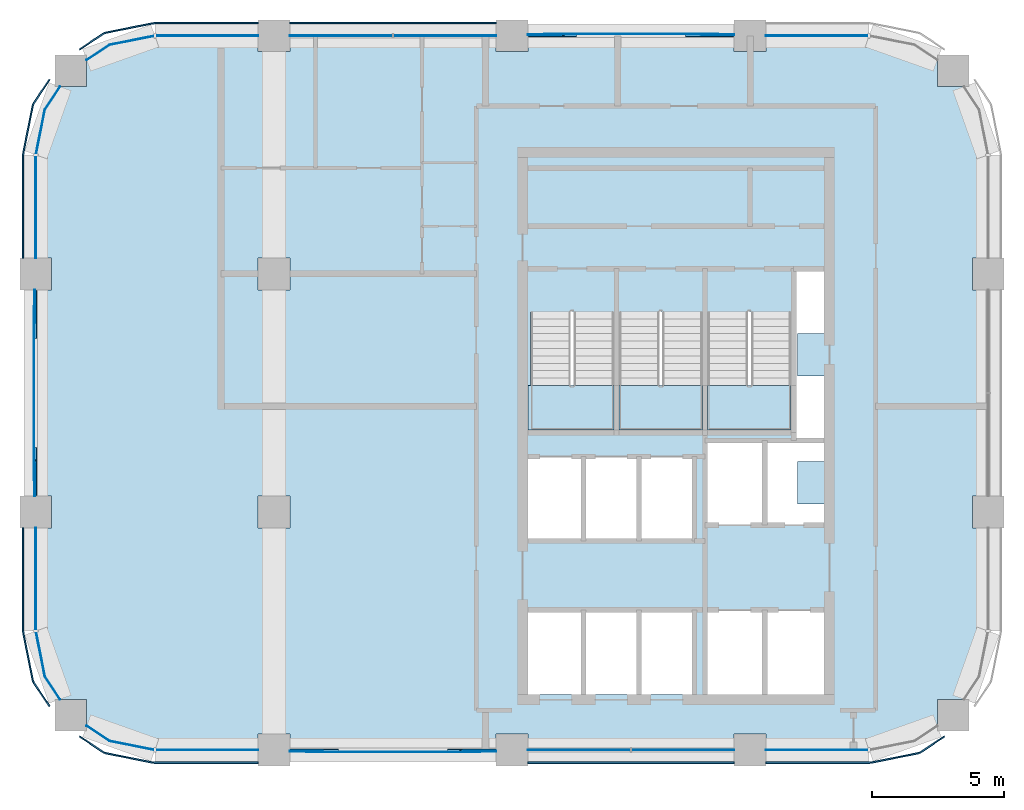
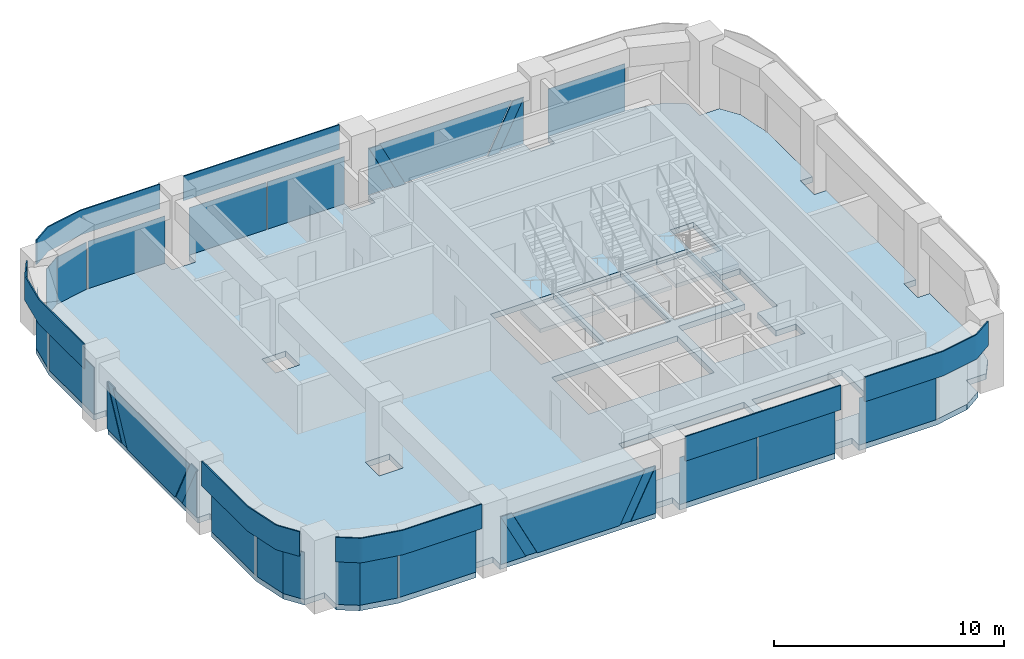
# One storey, part 6 of 10: 36 plates, 4 slabs, 14 elements without a shape of their own.
"""IFC4 building model written with IfcOpenShell, lengths in metres."""

import ifcopenshell
import ifcopenshell.guid

model = None  # the IFC model being written
_history = None  # IfcOwnerHistory: only IFC2X3 demands one
_inside = {}  # id of a spatial element -> (the spatial element, [elements in it])
_under = {}  # id of a project, library or spatial element -> (it, [spatial elements below it])
_declared = {}  # id of a project -> (the project, [libraries it declares])
_typed = {}  # id of a type object -> (the type object, [elements of that type])
_made_of = {}  # id of a material, layer set ... -> (it, [elements and type objects made of it])


def new_model(schema):
    """Start an empty IFC model of exactly this schema.

    Asked for "IFC4X3", IfcOpenShell would pick the latest addendum, in which some entities
    have other attributes; the version numbers below select the first issue.
    IFC2X3 requires an IfcOwnerHistory on every rooted entity: one is made here for all.
    """
    global model, _history
    if schema == "IFC4X3":
        model = ifcopenshell.file(schema_version=(4, 3, 0, 0))
    else:
        model = ifcopenshell.file(schema=schema)
    _inside.clear()
    _under.clear()
    _declared.clear()
    _typed.clear()
    _made_of.clear()
    _history = None
    if model.schema == "IFC2X3":
        org = make("IfcOrganization", Name="unknown")
        user = make(
            "IfcPersonAndOrganization",
            ThePerson=make("IfcPerson", FamilyName="unknown"),
            TheOrganization=org,
        )
        app = make(
            "IfcApplication",
            ApplicationDeveloper=org,
            Version="unknown",
            ApplicationFullName="unknown",
            ApplicationIdentifier="unknown",
        )
        _history = make(
            "IfcOwnerHistory",
            OwningUser=user,
            OwningApplication=app,
            ChangeAction="ADDED",
            CreationDate=0,
        )
    return model


def make(cls, **values):
    """One entity of the class cls with the attributes given. An attribute that is None is left unset."""
    return model.create_entity(
        cls, **{name: value for name, value in values.items() if value is not None}
    )


def rooted(cls, **values):
    """An entity with a GlobalId (a new one), such as an element, a storey or a relation."""
    return make(cls, GlobalId=ifcopenshell.guid.new(), OwnerHistory=_history, **values)


def si_unit(unit_type, name, prefix=None):
    """IfcSIUnit, for example si_unit("LENGTHUNIT", "METRE", prefix="MILLI")."""
    return make("IfcSIUnit", UnitType=unit_type, Prefix=prefix, Name=name)


def assignment(units):
    """IfcUnitAssignment: the units of a project."""
    return None if units is None else make("IfcUnitAssignment", Units=units)


def point(xyz):
    """IfcCartesianPoint."""
    return None if xyz is None else make("IfcCartesianPoint", Coordinates=xyz)


def direction(xyz):
    """IfcDirection."""
    return None if xyz is None else make("IfcDirection", DirectionRatios=xyz)


def frame(location, z_axis=None, x_axis=None):
    """IfcAxis2Placement3D, a coordinate frame: its origin and axes. An axis left out is left unset."""
    return make(
        "IfcAxis2Placement3D",
        Location=point(location),
        Axis=direction(z_axis),
        RefDirection=direction(x_axis),
    )


def frame_2d(location, x_axis=None):
    """IfcAxis2Placement2D, a coordinate frame in the plane: its origin and x axis."""
    return make(
        "IfcAxis2Placement2D", Location=point(location), RefDirection=direction(x_axis)
    )


def origin():
    """The frame at (0, 0, 0) with its axes left unset."""
    return frame((0.0, 0.0, 0.0))


def origin_2d():
    """The frame at (0, 0) in the plane with its x axis left unset."""
    return frame_2d((0.0, 0.0))


def place(relative_to, where):
    """IfcLocalPlacement: puts the frame where relative to a parent placement (None: the world)."""
    return make(
        "IfcLocalPlacement", PlacementRelTo=relative_to, RelativePlacement=where
    )


def context(
    kind, dimensions, precision=None, world=None, true_north=None, identifier=None
):
    """IfcGeometricRepresentationContext, for example the 3D "Model" context."""
    return make(
        "IfcGeometricRepresentationContext",
        ContextIdentifier=identifier,
        ContextType=kind,
        CoordinateSpaceDimension=dimensions,
        Precision=precision,
        WorldCoordinateSystem=world,
        TrueNorth=true_north,
    )


def subcontext(parent, identifier, kind, view, scale=None):
    """IfcGeometricRepresentationSubContext, for example "Body" below "Model"."""
    return make(
        "IfcGeometricRepresentationSubContext",
        ContextIdentifier=identifier,
        ContextType=kind,
        ParentContext=parent,
        TargetScale=scale,
        TargetView=view,
    )


def project(units=None, contexts=None):
    """IfcProject with its units and contexts."""
    return rooted(
        "IfcProject",
        Name="project",
        RepresentationContexts=contexts,
        UnitsInContext=assignment(units),
    )


def spatial(cls, under=None, at=None, **own):
    """A site, building, storey or space (cls), placed at a placement, below another one or the project."""
    s = rooted(cls, ObjectPlacement=at, **own)
    if under is not None:
        _under.setdefault(under.id(), (under, []))[1].append(s)
    return s


def polyline(points):
    """IfcPolyline through the points."""
    return make("IfcPolyline", Points=[point(p) for p in points])


def profile(cls, at=None, kind="AREA", **sizes):
    """A parametric profile (cls). Its sizes go by their IFC names, for example OverallWidth=200.0."""
    return make(cls, ProfileType=kind, Position=at, **sizes)


def rectangle(**sizes):
    """IfcRectangleProfileDef."""
    return profile("IfcRectangleProfileDef", **sizes)


def outline(outer, holes=None, kind="AREA"):
    """IfcArbitraryClosedProfileDef: a profile drawn as a closed curve; with holes, ...WithVoids."""
    if holes is None:
        return make("IfcArbitraryClosedProfileDef", ProfileType=kind, OuterCurve=outer)
    return make(
        "IfcArbitraryProfileDefWithVoids",
        ProfileType=kind,
        OuterCurve=outer,
        InnerCurves=holes,
    )


def extrude(swept, where, along, depth):
    """IfcExtrudedAreaSolid: the profile swept, set in the frame where, extruded along a direction by depth."""
    return make(
        "IfcExtrudedAreaSolid",
        SweptArea=swept,
        Position=where,
        ExtrudedDirection=direction(along),
        Depth=depth,
    )


def shape(context_of_items, identifier, shape_type, items):
    """IfcShapeRepresentation: the items that make up one representation, for example the "Body"."""
    return make(
        "IfcShapeRepresentation",
        ContextOfItems=context_of_items,
        RepresentationIdentifier=identifier,
        RepresentationType=shape_type,
        Items=items,
    )


def material(Name=None, Category=None):
    """IfcMaterial."""
    return make("IfcMaterial", Name=Name, Category=Category)


def layer(
    of_material, thickness, ventilated=None, Name=None, Category=None, Priority=None
):
    """IfcMaterialLayer: one layer of a wall or slab, of a material (None: an air gap)."""
    return make(
        "IfcMaterialLayer",
        Material=of_material,
        LayerThickness=thickness,
        IsVentilated=ventilated,
        Name=Name,
        Category=Category,
        Priority=Priority,
    )


def layer_set(layers, Name=None):
    """IfcMaterialLayerSet."""
    return make("IfcMaterialLayerSet", MaterialLayers=layers, LayerSetName=Name)


def made_of(thing, what):
    """Note that an element or type object is made of a material, layer set ...; save() writes the relation."""
    if what is not None:
        _made_of.setdefault(what.id(), (what, []))[1].append(thing)
    return thing


def type_object(cls, material=None, **own):
    """A type object (cls), such as IfcWallType, which elements share."""
    return made_of(rooted(cls, **own), material)


def element(
    cls,
    number,
    at=None,
    inside=None,
    cuts=None,
    type_object=None,
    material=None,
    context=None,
    identifier="Body",
    shape_type=None,
    held_by="IfcProductDefinitionShape",
    body=None,
    shapes=None,
    **own,
):
    """One element of the class cls, such as IfcWall. Its Tag is "e" and its number.

    at: its placement. inside: the storey or other place that contains it. cuts: it is an
    opening in that element (IfcRelVoidsElement). A single representation is given by context,
    identifier, shape_type and body (its items); several are given by shapes. held_by: the class
    of the entity that holds the representations. save() writes the other relations.
    """
    e = rooted(cls, Tag="e%d" % number, ObjectPlacement=at, **own)
    if body is not None:
        shapes = [shape(context, identifier, shape_type, body)]
    if shapes is not None:
        e.Representation = make(held_by, Representations=shapes)
    if inside is not None:
        _inside.setdefault(inside.id(), (inside, []))[1].append(e)
    if cuts is not None:
        rooted(
            "IfcRelVoidsElement", RelatingBuildingElement=cuts, RelatedOpeningElement=e
        )
    if type_object is not None:
        _typed.setdefault(type_object.id(), (type_object, []))[1].append(e)
    return made_of(e, material)


def aggregate(whole, parts):
    """IfcRelAggregates: a whole, such as a stair, and the parts it consists of."""
    return rooted("IfcRelAggregates", RelatingObject=whole, RelatedObjects=parts)


def save(model, path):
    """Write the relations noted so far, then the file.

    IfcRelAggregates (storeys below a building ...), IfcRelContainedInSpatialStructure (elements
    in a storey), IfcRelDefinesByType, IfcRelAssociatesMaterial and IfcRelDeclares: one each for
    every whole, place, type object, material and project.
    """
    for whole, parts in _under.values():
        aggregate(whole, parts)
    for where, things in _inside.values():
        rooted(
            "IfcRelContainedInSpatialStructure",
            RelatedElements=things,
            RelatingStructure=where,
        )
    for kind, things in _typed.values():
        rooted("IfcRelDefinesByType", RelatedObjects=things, RelatingType=kind)
    for what, things in _made_of.values():
        rooted("IfcRelAssociatesMaterial", RelatedObjects=things, RelatingMaterial=what)
    for by, libraries in _declared.values():
        rooted("IfcRelDeclares", RelatingContext=by, RelatedDefinitions=libraries)
    model.write(path)


model = new_model("IFC4")

# Units and contexts
model_context = context("Model", 3, precision=1e-05, world=origin(), true_north=direction((0.0, 1.0)))
body_context = subcontext(model_context, "Body", "Model", "MODEL_VIEW")
ifc_project = project(units=[si_unit("LENGTHUNIT", "METRE"), si_unit("AREAUNIT", "SQUARE_METRE"), si_unit("VOLUMEUNIT", "CUBIC_METRE"), si_unit("PLANEANGLEUNIT", "RADIAN"), si_unit("MASSUNIT", "GRAM", prefix="KILO")], contexts=[model_context])

# Site, building, storey
site_placement = place(None, origin())
site = spatial("IfcSite", under=ifc_project, at=site_placement, CompositionType="ELEMENT")
building_placement = place(site_placement, origin())
building = spatial("IfcBuilding", under=site, at=building_placement, Name="Tessera Arch", CompositionType="ELEMENT")
storey_placement = place(building_placement, frame((0.0, 0.0, 261.800048828125)))
storey = spatial("IfcBuildingStorey", under=building, at=storey_placement, Name="L63", CompositionType="ELEMENT", Elevation=261.800048828125)

# Curtain wall, plates
ifc_material_1 = material(Name="CW1 curtain wall")
curtain_wall_type_1 = type_object("IfcCurtainWallType", Name="CW1 curtain wall", PredefinedType="NOTDEFINED", material=ifc_material_1)
curtain_wall_1_placement = place(storey_placement, origin())
curtain_wall_1 = element("IfcCurtainWall", 1, at=curtain_wall_1_placement, inside=storey, type_object=curtain_wall_type_1, Name="CW1 curtain wall N54.18/2 L63", PredefinedType="NOTDEFINED")
ifc_material_2 = material(Name="Clear low-e glass", Category="glass")
ifc_material_3 = material(Name="Clear low-e glass", Category="glass")
ifc_layer_1 = layer(ifc_material_3, 0.028076171875)
ifc_layer_set_1 = layer_set([ifc_layer_1], Name="CW1 glass panel")
plate_type_1 = type_object("IfcPlateType", Name="CW1 glass panel", PredefinedType="CURTAIN_PANEL", material=ifc_layer_set_1)
plate_1_placement = place(storey_placement, frame((33.465087890625, 54.0, 0.0), z_axis=(0.0, 0.0, 1.0), x_axis=(-1.0, 0.0, 0.0)))
plate_1 = element("IfcPlate", 2, at=plate_1_placement, type_object=plate_type_1, material=ifc_material_2, Name="CW1 glass panel N54.18/2 1.1.1", PredefinedType="CURTAIN_PANEL", context=body_context, shape_type="SweptSolid", body=[
    extrude(rectangle(XDim=3.8701171875, YDim=0.028076171875, at=origin_2d()), origin(), (0.0, 0.0, 1.0), 2.5),
])
plate_2_placement = place(storey_placement, frame((29.534912109375, 54.0, 0.0), z_axis=(0.0, 0.0, 1.0), x_axis=(-1.0, 0.0, 0.0)))
plate_2 = element("IfcPlate", 3, at=plate_2_placement, type_object=plate_type_1, material=ifc_material_2, Name="CW1 glass panel N54.18/2 1.2.1", PredefinedType="CURTAIN_PANEL", context=body_context, shape_type="SweptSolid", body=[
    extrude(rectangle(XDim=3.8701171875, YDim=0.028076171875, at=origin_2d()), origin(), (0.0, 0.0, 1.0), 2.5),
])

curtain_wall_2_placement = place(storey_placement, origin())
curtain_wall_2 = element("IfcCurtainWall", 4, at=curtain_wall_2_placement, inside=storey, type_object=curtain_wall_type_1, Name="CW1 curtain wall S27.18/2 L63", PredefinedType="NOTDEFINED")
plate_3_placement = place(storey_placement, frame((38.534912109375, 27.0, 0.0), z_axis=(0.0, 0.0, 1.0), x_axis=(1.0, 0.0, 0.0)))
plate_3 = element("IfcPlate", 5, at=plate_3_placement, type_object=plate_type_1, material=ifc_material_2, Name="CW1 glass panel S27.18/2 1.1.1", PredefinedType="CURTAIN_PANEL", context=body_context, shape_type="SweptSolid", body=[
    extrude(rectangle(XDim=3.8701171875, YDim=0.028076171875, at=origin_2d()), origin(), (0.0, 0.0, 1.0), 2.5),
])
plate_4_placement = place(storey_placement, frame((42.465087890625, 27.0, 0.0), z_axis=(0.0, 0.0, 1.0), x_axis=(1.0, 0.0, 0.0)))
plate_4 = element("IfcPlate", 6, at=plate_4_placement, type_object=plate_type_1, material=ifc_material_2, Name="CW1 glass panel S27.18/2 1.2.1", PredefinedType="CURTAIN_PANEL", context=body_context, shape_type="SweptSolid", body=[
    extrude(rectangle(XDim=3.8701171875, YDim=0.028076171875, at=origin_2d()), origin(), (0.0, 0.0, 1.0), 2.5),
])

# Plate
ifc_material_4 = material(Name="Pale anodised aluminium panel", Category="aluminium")
ifc_layer_2 = layer(ifc_material_4, 0.06005859375)
ifc_layer_set_2 = layer_set([ifc_layer_2], Name="CW1 spandrel panel")
plate_type_2 = type_object("IfcPlateType", Name="CW1 spandrel panel", PredefinedType="CURTAIN_PANEL", material=ifc_layer_set_2)
plate_5_placement = place(storey_placement, frame((31.5, 54.47998046875, 2.60009765625), z_axis=(0.0, 0.0, 1.0), x_axis=(-1.0, 0.0, 0.0)))
plate_5 = element("IfcPlate", 7, at=plate_5_placement, type_object=plate_type_2, Name="CW1 spandrel panel N54.18/2", PredefinedType="CURTAIN_PANEL", context=body_context, shape_type="SweptSolid", body=[
    extrude(rectangle(XDim=7.800048828125, YDim=0.06005859375, at=origin_2d()), origin(), (0.0, 0.0, 1.0), 1.300048828125),
])

aggregate(curtain_wall_1, [plate_1, plate_2, plate_5])

plate_6_placement = place(storey_placement, frame((40.5, 26.52001953125, 2.60009765625), z_axis=(0.0, 0.0, 1.0), x_axis=(1.0, 0.0, 0.0)))
plate_6 = element("IfcPlate", 8, at=plate_6_placement, type_object=plate_type_2, Name="CW1 spandrel panel S27.18/2", PredefinedType="CURTAIN_PANEL", context=body_context, shape_type="SweptSolid", body=[
    extrude(rectangle(XDim=7.800048828125, YDim=0.06005859375, at=origin_2d()), origin(), (0.0, 0.0, 1.0), 1.300048828125),
])

aggregate(curtain_wall_2, [plate_3, plate_4, plate_6])

# Curtain wall, plate
ifc_material_5 = material(Name="CW2 curtain wall")
curtain_wall_type_2 = type_object("IfcCurtainWallType", Name="CW2 curtain wall", PredefinedType="NOTDEFINED", material=ifc_material_5)
curtain_wall_3_placement = place(storey_placement, origin())
curtain_wall_3 = element("IfcCurtainWall", 9, at=curtain_wall_3_placement, inside=storey, type_object=curtain_wall_type_2, Name="CW2 curtain wall N54.18/0 L63", PredefinedType="NOTDEFINED")
ifc_material_6 = material(Name="Clear low-e glass", Category="glass")
ifc_layer_3 = layer(ifc_material_6, 0.028076171875)
ifc_layer_set_3 = layer_set([ifc_layer_3], Name="CW2 glass panel")
plate_type_3 = type_object("IfcPlateType", Name="CW2 glass panel", PredefinedType="CURTAIN_PANEL", material=ifc_layer_set_3)
plate_7_placement = place(storey_placement, frame((47.530029296875, 54.0, 0.0), z_axis=(0.0, 0.0, 1.0), x_axis=(-1.0, 0.0, 0.0)))
plate_7 = element("IfcPlate", 10, at=plate_7_placement, type_object=plate_type_3, material=ifc_material_2, Name="CW2 glass panel N54.18/0 1.1", PredefinedType="CURTAIN_PANEL", context=body_context, shape_type="SweptSolid", body=[
    extrude(rectangle(XDim=3.860107421875, YDim=0.028076171875, at=origin_2d()), origin(), (0.0, 0.0, 1.0), 2.5),
])
aggregate(curtain_wall_3, [plate_7])

# Curtain wall, plates
curtain_wall_4_placement = place(storey_placement, origin())
curtain_wall_4 = element("IfcCurtainWall", 11, at=curtain_wall_4_placement, inside=storey, type_object=curtain_wall_type_2, Name="CW2 curtain wall N54.18/3 L63", PredefinedType="NOTDEFINED")
plate_8_placement = place(storey_placement, frame((24.469970703125, 54.0, 0.0), z_axis=(0.0, 0.0, 1.0), x_axis=(-1.0, 0.0, 0.0)))
plate_8 = element("IfcPlate", 12, at=plate_8_placement, type_object=plate_type_3, material=ifc_material_2, Name="CW2 glass panel N54.18/3 1.1", PredefinedType="CURTAIN_PANEL", context=body_context, shape_type="SweptSolid", body=[
    extrude(rectangle(XDim=3.860107421875, YDim=0.028076171875, at=origin_2d()), origin(), (0.0, 0.0, 1.0), 2.5),
])
plate_9_placement = place(storey_placement, origin())
plate_9 = element("IfcPlate", 13, at=plate_9_placement, type_object=plate_type_3, material=ifc_material_2, Name="CW2 curved glass panel N54.18/3 2.1", PredefinedType="CURTAIN_PANEL", context=body_context, shape_type="SweptSolid", body=[
    extrude(outline(polyline([(20.783447265625, 53.644287109375), (22.46337890625, 53.978515625), (22.4580078125, 54.005859375), (20.7724609375, 53.670654296875), (19.91015625, 53.094482421875), (19.92578125, 53.0712890625), (20.783447265625, 53.644287109375)])), origin(), (0.0, 0.0, 1.0), 2.5),
])

curtain_wall_5_placement = place(storey_placement, origin())
curtain_wall_5 = element("IfcCurtainWall", 14, at=curtain_wall_5_placement, inside=storey, type_object=curtain_wall_type_2, Name="CW2 curtain wall W18.27/0 L63", PredefinedType="NOTDEFINED")
plate_10_placement = place(storey_placement, frame((18.0, 47.530029296875, 0.0), z_axis=(0.0, 0.0, 1.0), x_axis=(0.0, -1.0, 0.0)))
plate_10 = element("IfcPlate", 15, at=plate_10_placement, type_object=plate_type_3, material=ifc_material_2, Name="CW2 glass panel W18.27/0 1.1", PredefinedType="CURTAIN_PANEL", context=body_context, shape_type="SweptSolid", body=[
    extrude(rectangle(XDim=3.860107421875, YDim=0.028076171875, at=origin_2d()), origin(), (0.0, 0.0, 1.0), 2.5),
])
plate_11_placement = place(storey_placement, origin())
plate_11 = element("IfcPlate", 16, at=plate_11_placement, type_object=plate_type_3, material=ifc_material_2, Name="CW2 curved glass panel W18.27/0 2.1", PredefinedType="CURTAIN_PANEL", context=body_context, shape_type="SweptSolid", body=[
    extrude(outline(polyline([(18.355712890625, 51.216552734375), (18.9287109375, 52.07421875), (18.905517578125, 52.08984375), (18.329345703125, 51.2275390625), (17.994140625, 49.5419921875), (18.021484375, 49.53662109375), (18.355712890625, 51.216552734375)])), origin(), (0.0, 0.0, 1.0), 2.5),
])

curtain_wall_6_placement = place(storey_placement, origin())
curtain_wall_6 = element("IfcCurtainWall", 17, at=curtain_wall_6_placement, inside=storey, type_object=curtain_wall_type_2, Name="CW2 curtain wall W18.27/2 L63", PredefinedType="NOTDEFINED")
plate_12_placement = place(storey_placement, frame((18.0, 33.469970703125, 0.0), z_axis=(0.0, 0.0, 1.0), x_axis=(0.0, -1.0, 0.0)))
plate_12 = element("IfcPlate", 18, at=plate_12_placement, type_object=plate_type_3, material=ifc_material_2, Name="CW2 glass panel W18.27/2 1.1", PredefinedType="CURTAIN_PANEL", context=body_context, shape_type="SweptSolid", body=[
    extrude(rectangle(XDim=3.860107421875, YDim=0.028076171875, at=origin_2d()), origin(), (0.0, 0.0, 1.0), 2.5),
])
plate_13_placement = place(storey_placement, origin())
plate_13 = element("IfcPlate", 19, at=plate_13_placement, type_object=plate_type_3, material=ifc_material_2, Name="CW2 curved glass panel W18.27/2 2.1", PredefinedType="CURTAIN_PANEL", context=body_context, shape_type="SweptSolid", body=[
    extrude(outline(polyline([(18.355712890625, 29.783447265625), (18.021484375, 31.46337890625), (17.994140625, 31.4580078125), (18.329345703125, 29.7724609375), (18.905517578125, 28.91015625), (18.9287109375, 28.92578125), (18.355712890625, 29.783447265625)])), origin(), (0.0, 0.0, 1.0), 2.5),
])

curtain_wall_7_placement = place(storey_placement, origin())
curtain_wall_7 = element("IfcCurtainWall", 20, at=curtain_wall_7_placement, inside=storey, type_object=curtain_wall_type_2, Name="CW2 curtain wall S27.18/0 L63", PredefinedType="NOTDEFINED")
plate_14_placement = place(storey_placement, frame((24.469970703125, 27.0, 0.0), z_axis=(0.0, 0.0, 1.0), x_axis=(1.0, 0.0, 0.0)))
plate_14 = element("IfcPlate", 21, at=plate_14_placement, type_object=plate_type_3, material=ifc_material_2, Name="CW2 glass panel S27.18/0 1.1", PredefinedType="CURTAIN_PANEL", context=body_context, shape_type="SweptSolid", body=[
    extrude(rectangle(XDim=3.860107421875, YDim=0.028076171875, at=origin_2d()), origin(), (0.0, 0.0, 1.0), 2.5),
])
plate_15_placement = place(storey_placement, origin())
plate_15 = element("IfcPlate", 22, at=plate_15_placement, type_object=plate_type_3, material=ifc_material_2, Name="CW2 curved glass panel S27.18/0 2.1", PredefinedType="CURTAIN_PANEL", context=body_context, shape_type="SweptSolid", body=[
    extrude(outline(polyline([(20.783447265625, 27.355712890625), (19.92578125, 27.9287109375), (19.91015625, 27.905517578125), (20.7724609375, 27.329345703125), (22.4580078125, 26.994140625), (22.46337890625, 27.021484375), (20.783447265625, 27.355712890625)])), origin(), (0.0, 0.0, 1.0), 2.5),
])

# Curtain wall, plate
curtain_wall_8_placement = place(storey_placement, origin())
curtain_wall_8 = element("IfcCurtainWall", 23, at=curtain_wall_8_placement, inside=storey, type_object=curtain_wall_type_2, Name="CW2 curtain wall S27.18/3 L63", PredefinedType="NOTDEFINED")
plate_16_placement = place(storey_placement, frame((47.530029296875, 27.0, 0.0), z_axis=(0.0, 0.0, 1.0), x_axis=(1.0, 0.0, 0.0)))
plate_16 = element("IfcPlate", 24, at=plate_16_placement, type_object=plate_type_3, material=ifc_material_2, Name="CW2 glass panel S27.18/3 1.1", PredefinedType="CURTAIN_PANEL", context=body_context, shape_type="SweptSolid", body=[
    extrude(rectangle(XDim=3.860107421875, YDim=0.028076171875, at=origin_2d()), origin(), (0.0, 0.0, 1.0), 2.5),
])

# Plate
ifc_material_7 = material(Name="Pale anodised aluminium panel", Category="aluminium")
ifc_layer_4 = layer(ifc_material_7, 0.06005859375)
ifc_layer_set_4 = layer_set([ifc_layer_4], Name="CW2 spandrel panel")
plate_type_4 = type_object("IfcPlateType", Name="CW2 spandrel panel", PredefinedType="CURTAIN_PANEL", material=ifc_layer_set_4)
plate_17_placement = place(storey_placement, frame((0.0, 0.0, 2.599853515625)))
plate_17 = element("IfcPlate", 25, at=plate_17_placement, type_object=plate_type_4, Name="CW2 spandrel panel N54.18/3", PredefinedType="CURTAIN_PANEL", context=body_context, shape_type="SweptSolid", body=[
    extrude(outline(polyline([(22.500732421875, 54.449951171875), (26.39990234375, 54.449951171875), (26.39990234375, 54.510009765625), (22.499267578125, 54.510009765625), (22.449951171875, 54.507568359375), (22.401123046875, 54.500244140625), (20.677734375, 54.157470703125), (20.6298828125, 54.1455078125), (20.582763671875, 54.128662109375), (20.537353515625, 54.107421875), (20.4951171875, 54.08203125), (19.634765625, 53.5068359375), (19.66796875, 53.45703125), (20.52734375, 54.03125), (20.565673828125, 54.054443359375), (20.605712890625, 54.0732421875), (20.647216796875, 54.088134765625), (20.69091796875, 54.09912109375), (22.411376953125, 54.441162109375), (22.455810546875, 54.44775390625), (22.500732421875, 54.449951171875)])), origin(), (0.0, 0.0, 1.0), 1.300048828125),
])

aggregate(curtain_wall_4, [plate_8, plate_9, plate_17])

plate_18_placement = place(storey_placement, frame((0.0, 0.0, 2.599853515625)))
plate_18 = element("IfcPlate", 26, at=plate_18_placement, type_object=plate_type_4, Name="CW2 spandrel panel W18.27/0", PredefinedType="CURTAIN_PANEL", context=body_context, shape_type="SweptSolid", body=[
    extrude(outline(polyline([(17.96875, 51.47265625), (18.54296875, 52.33203125), (18.4931640625, 52.365234375), (17.91796875, 51.5048828125), (17.892578125, 51.462646484375), (17.871337890625, 51.417236328125), (17.8544921875, 51.3701171875), (17.842529296875, 51.322265625), (17.499755859375, 49.598876953125), (17.492431640625, 49.550048828125), (17.489990234375, 49.500732421875), (17.489990234375, 45.60009765625), (17.550048828125, 45.60009765625), (17.550048828125, 49.499267578125), (17.55224609375, 49.544189453125), (17.558837890625, 49.588623046875), (17.90087890625, 51.30908203125), (17.911865234375, 51.352783203125), (17.9267578125, 51.394287109375), (17.945556640625, 51.434326171875), (17.96875, 51.47265625)])), origin(), (0.0, 0.0, 1.0), 1.300048828125),
])

aggregate(curtain_wall_5, [plate_10, plate_11, plate_18])

plate_19_placement = place(storey_placement, frame((0.0, 0.0, 2.599853515625)))
plate_19 = element("IfcPlate", 27, at=plate_19_placement, type_object=plate_type_4, Name="CW2 spandrel panel W18.27/2", PredefinedType="CURTAIN_PANEL", context=body_context, shape_type="SweptSolid", body=[
    extrude(outline(polyline([(17.550048828125, 31.500732421875), (17.550048828125, 35.39990234375), (17.489990234375, 35.39990234375), (17.489990234375, 31.499267578125), (17.492431640625, 31.449951171875), (17.499755859375, 31.401123046875), (17.842529296875, 29.677734375), (17.8544921875, 29.6298828125), (17.871337890625, 29.582763671875), (17.892578125, 29.537353515625), (17.91796875, 29.4951171875), (18.4931640625, 28.634765625), (18.54296875, 28.66796875), (17.96875, 29.52734375), (17.945556640625, 29.565673828125), (17.9267578125, 29.605712890625), (17.911865234375, 29.647216796875), (17.90087890625, 29.69091796875), (17.558837890625, 31.411376953125), (17.55224609375, 31.455810546875), (17.550048828125, 31.500732421875)])), origin(), (0.0, 0.0, 1.0), 1.300048828125),
])

aggregate(curtain_wall_6, [plate_12, plate_13, plate_19])

plate_20_placement = place(storey_placement, frame((0.0, 0.0, 2.599853515625)))
plate_20 = element("IfcPlate", 28, at=plate_20_placement, type_object=plate_type_4, Name="CW2 spandrel panel S27.18/0", PredefinedType="CURTAIN_PANEL", context=body_context, shape_type="SweptSolid", body=[
    extrude(outline(polyline([(20.52734375, 26.96875), (19.66796875, 27.54296875), (19.634765625, 27.4931640625), (20.4951171875, 26.91796875), (20.537353515625, 26.892578125), (20.582763671875, 26.871337890625), (20.6298828125, 26.8544921875), (20.677734375, 26.842529296875), (22.401123046875, 26.499755859375), (22.449951171875, 26.492431640625), (22.499267578125, 26.489990234375), (26.39990234375, 26.489990234375), (26.39990234375, 26.550048828125), (22.500732421875, 26.550048828125), (22.455810546875, 26.55224609375), (22.411376953125, 26.558837890625), (20.69091796875, 26.90087890625), (20.647216796875, 26.911865234375), (20.605712890625, 26.9267578125), (20.565673828125, 26.945556640625), (20.52734375, 26.96875)])), origin(), (0.0, 0.0, 1.0), 1.300048828125),
])

aggregate(curtain_wall_7, [plate_14, plate_15, plate_20])

plate_21_placement = place(storey_placement, frame((0.0, 0.0, 2.599853515625)))
plate_21 = element("IfcPlate", 29, at=plate_21_placement, type_object=plate_type_4, Name="CW2 spandrel panel S27.18/3", PredefinedType="CURTAIN_PANEL", context=body_context, shape_type="SweptSolid", body=[
    extrude(outline(polyline([(49.499267578125, 26.550048828125), (45.60009765625, 26.550048828125), (45.60009765625, 26.489990234375), (49.500732421875, 26.489990234375), (49.550048828125, 26.492431640625), (49.598876953125, 26.499755859375), (51.322265625, 26.842529296875), (51.3701171875, 26.8544921875), (51.417236328125, 26.871337890625), (51.462646484375, 26.892578125), (51.5048828125, 26.91796875), (52.365234375, 27.4931640625), (52.33203125, 27.54296875), (51.47265625, 26.96875), (51.434326171875, 26.945556640625), (51.394287109375, 26.9267578125), (51.352783203125, 26.911865234375), (51.30908203125, 26.90087890625), (49.588623046875, 26.558837890625), (49.544189453125, 26.55224609375), (49.499267578125, 26.550048828125)])), origin(), (0.0, 0.0, 1.0), 1.300048828125),
])

aggregate(curtain_wall_8, [plate_16, plate_21])

# Curtain wall, plates
ifc_material_8 = material(Name="CW3 curtain wall")
curtain_wall_type_3 = type_object("IfcCurtainWallType", Name="CW3 curtain wall", PredefinedType="NOTDEFINED", material=ifc_material_8)
curtain_wall_9_placement = place(storey_placement, origin())
curtain_wall_9 = element("IfcCurtainWall", 30, at=curtain_wall_9_placement, inside=storey, type_object=curtain_wall_type_3, Name="CW3 curtain wall N54.18/1 L63", PredefinedType="NOTDEFINED")
ifc_material_9 = material(Name="Pale anodised aluminium panel", Category="aluminium")
ifc_layer_5 = layer(ifc_material_9, 0.06005859375)
ifc_layer_set_5 = layer_set([ifc_layer_5], Name="CW3 diagonal panel")
plate_type_5 = type_object("IfcPlateType", Name="CW3 diagonal panel", PredefinedType="CURTAIN_PANEL", material=ifc_layer_set_5)
plate_22_placement = place(storey_placement, frame((36.61767578125, 54.030029296875, 2.5), z_axis=(0.0, 1.0, 0.0), x_axis=(1.0, 0.0, 0.0)))
plate_22 = element("IfcPlate", 31, at=plate_22_placement, type_object=plate_type_5, Name="CW3 diagonal panel N54.18/1 1", PredefinedType="CURTAIN_PANEL", context=body_context, shape_type="SweptSolid", body=[
    extrude(outline(polyline([(0.0, 0.0), (0.564697265625, 0.0), (1.814697265625, 2.5), (1.25, 2.5), (0.0, 0.0)])), origin(), (0.0, 0.0, -1.0), 0.06005859375),
])
plate_23_placement = place(storey_placement, frame((43.817626953125, 54.030029296875, 2.5), z_axis=(0.0, 1.0, 0.0), x_axis=(1.0, 0.0, 0.0)))
plate_23 = element("IfcPlate", 32, at=plate_23_placement, type_object=plate_type_5, Name="CW3 diagonal panel N54.18/1 2", PredefinedType="CURTAIN_PANEL", context=body_context, shape_type="SweptSolid", body=[
    extrude(outline(polyline([(0.0, 0.0), (0.564697265625, 0.0), (-0.685302734375, 2.5), (-1.25, 2.5), (0.0, 0.0)])), origin(), (0.0, 0.0, -1.0), 0.06005859375),
])

curtain_wall_10_placement = place(storey_placement, origin())
curtain_wall_10 = element("IfcCurtainWall", 33, at=curtain_wall_10_placement, inside=storey, type_object=curtain_wall_type_3, Name="CW3 curtain wall W18.27/1 L63", PredefinedType="NOTDEFINED")
plate_24_placement = place(storey_placement, frame((17.969970703125, 36.61767578125, 2.5), z_axis=(-1.0, 0.0, 0.0), x_axis=(0.0, 1.0, 0.0)))
plate_24 = element("IfcPlate", 34, at=plate_24_placement, type_object=plate_type_5, Name="CW3 diagonal panel W18.27/1 1", PredefinedType="CURTAIN_PANEL", context=body_context, shape_type="SweptSolid", body=[
    extrude(outline(polyline([(0.0, 0.0), (0.564697265625, 0.0), (1.814697265625, 2.5), (1.25, 2.5), (0.0, 0.0)])), origin(), (0.0, 0.0, -1.0), 0.06005859375),
])
plate_25_placement = place(storey_placement, frame((17.969970703125, 43.817626953125, 2.5), z_axis=(-1.0, 0.0, 0.0), x_axis=(0.0, 1.0, 0.0)))
plate_25 = element("IfcPlate", 35, at=plate_25_placement, type_object=plate_type_5, Name="CW3 diagonal panel W18.27/1 2", PredefinedType="CURTAIN_PANEL", context=body_context, shape_type="SweptSolid", body=[
    extrude(outline(polyline([(0.0, 0.0), (0.564697265625, 0.0), (-0.685302734375, 2.5), (-1.25, 2.5), (0.0, 0.0)])), origin(), (0.0, 0.0, -1.0), 0.06005859375),
])

curtain_wall_11_placement = place(storey_placement, origin())
curtain_wall_11 = element("IfcCurtainWall", 36, at=curtain_wall_11_placement, inside=storey, type_object=curtain_wall_type_3, Name="CW3 curtain wall S27.18/1 L63", PredefinedType="NOTDEFINED")
plate_26_placement = place(storey_placement, frame((35.38232421875, 26.969970703125, 2.5), z_axis=(0.0, -1.0, 0.0), x_axis=(-1.0, 0.0, 0.0)))
plate_26 = element("IfcPlate", 37, at=plate_26_placement, type_object=plate_type_5, Name="CW3 diagonal panel S27.18/1 1", PredefinedType="CURTAIN_PANEL", context=body_context, shape_type="SweptSolid", body=[
    extrude(outline(polyline([(0.0, 0.0), (0.564697265625, 0.0), (1.814697265625, 2.5), (1.25, 2.5), (0.0, 0.0)])), origin(), (0.0, 0.0, -1.0), 0.06005859375),
])
plate_27_placement = place(storey_placement, frame((28.182373046875, 26.969970703125, 2.5), z_axis=(0.0, -1.0, 0.0), x_axis=(-1.0, 0.0, 0.0)))
plate_27 = element("IfcPlate", 38, at=plate_27_placement, type_object=plate_type_5, Name="CW3 diagonal panel S27.18/1 2", PredefinedType="CURTAIN_PANEL", context=body_context, shape_type="SweptSolid", body=[
    extrude(outline(polyline([(0.0, 0.0), (0.564697265625, 0.0), (-0.685302734375, 2.5), (-1.25, 2.5), (0.0, 0.0)])), origin(), (0.0, 0.0, -1.0), 0.06005859375),
])

# Plate
ifc_material_10 = material(Name="Clear low-e glass", Category="glass")
ifc_layer_6 = layer(ifc_material_10, 0.028076171875)
ifc_layer_set_6 = layer_set([ifc_layer_6], Name="CW3 glass panel")
plate_type_6 = type_object("IfcPlateType", Name="CW3 glass panel", PredefinedType="CURTAIN_PANEL", material=ifc_layer_set_6)
plate_28_placement = place(storey_placement, frame((44.39990234375, 54.05810546875, 0.0), z_axis=(0.0, 1.0, 0.0), x_axis=(-1.0, 0.0, 0.0)))
plate_28 = element("IfcPlate", 39, at=plate_28_placement, type_object=plate_type_6, material=ifc_material_2, Name="CW3 triangulated glass panel N54.18/1 1", PredefinedType="CURTAIN_PANEL", context=body_context, shape_type="SweptSolid", body=[
    extrude(outline(polyline([(0.0, 0.0), (1.267578125, 0.0), (0.017578125, 2.5), (0.0, 2.5), (0.0, 0.0)])), origin(), (0.0, 0.0, -1.0), 0.028076171875),
])

plate_29_placement = place(storey_placement, frame((37.182373046875, 54.0859375, 2.5), z_axis=(0.0, 1.0, 0.0), x_axis=(1.0, 0.0, 0.0)))
plate_29 = element("IfcPlate", 40, at=plate_29_placement, type_object=plate_type_6, material=ifc_material_2, Name="CW3 triangulated glass panel N54.18/1 2", PredefinedType="CURTAIN_PANEL", context=body_context, shape_type="SweptSolid", body=[
    extrude(outline(polyline([(0.0, 0.0), (6.63525390625, 0.0), (5.38525390625, 2.5), (1.25, 2.5), (0.0, 0.0)])), origin(), (0.0, 0.0, -1.0), 0.028076171875),
])

plate_30_placement = place(storey_placement, frame((36.60009765625, 54.05810546875, 2.5), z_axis=(0.0, 1.0, 0.0), x_axis=(1.0, 0.0, 0.0)))
plate_30 = element("IfcPlate", 41, at=plate_30_placement, type_object=plate_type_6, material=ifc_material_2, Name="CW3 triangulated glass panel N54.18/1 3", PredefinedType="CURTAIN_PANEL", context=body_context, shape_type="SweptSolid", body=[
    extrude(outline(polyline([(0.0, 0.0), (0.017578125, 0.0), (1.267578125, 2.5), (0.0, 2.5), (0.0, 0.0)])), origin(), (0.0, 0.0, -1.0), 0.028076171875),
])

aggregate(curtain_wall_9, [plate_28, plate_29, plate_30, plate_22, plate_23])

plate_31_placement = place(storey_placement, frame((17.94189453125, 44.39990234375, 0.0), z_axis=(-1.0, 0.0, 0.0), x_axis=(0.0, -1.0, 0.0)))
plate_31 = element("IfcPlate", 42, at=plate_31_placement, type_object=plate_type_6, material=ifc_material_2, Name="CW3 triangulated glass panel W18.27/1 1", PredefinedType="CURTAIN_PANEL", context=body_context, shape_type="SweptSolid", body=[
    extrude(outline(polyline([(0.0, 0.0), (1.267578125, 0.0), (0.017578125, 2.5), (0.0, 2.5), (0.0, 0.0)])), origin(), (0.0, 0.0, -1.0), 0.028076171875),
])

plate_32_placement = place(storey_placement, frame((17.9140625, 37.182373046875, 2.5), z_axis=(-1.0, 0.0, 0.0), x_axis=(0.0, 1.0, 0.0)))
plate_32 = element("IfcPlate", 43, at=plate_32_placement, type_object=plate_type_6, material=ifc_material_2, Name="CW3 triangulated glass panel W18.27/1 2", PredefinedType="CURTAIN_PANEL", context=body_context, shape_type="SweptSolid", body=[
    extrude(outline(polyline([(0.0, 0.0), (6.63525390625, 0.0), (5.38525390625, 2.5), (1.25, 2.5), (0.0, 0.0)])), origin(), (0.0, 0.0, -1.0), 0.028076171875),
])

plate_33_placement = place(storey_placement, frame((17.94189453125, 36.60009765625, 2.5), z_axis=(-1.0, 0.0, 0.0), x_axis=(0.0, 1.0, 0.0)))
plate_33 = element("IfcPlate", 44, at=plate_33_placement, type_object=plate_type_6, material=ifc_material_2, Name="CW3 triangulated glass panel W18.27/1 3", PredefinedType="CURTAIN_PANEL", context=body_context, shape_type="SweptSolid", body=[
    extrude(outline(polyline([(0.0, 0.0), (0.017578125, 0.0), (1.267578125, 2.5), (0.0, 2.5), (0.0, 0.0)])), origin(), (0.0, 0.0, -1.0), 0.028076171875),
])

aggregate(curtain_wall_10, [plate_31, plate_32, plate_33, plate_24, plate_25])

plate_34_placement = place(storey_placement, frame((27.60009765625, 26.94189453125, 0.0), z_axis=(0.0, -1.0, 0.0), x_axis=(1.0, 0.0, 0.0)))
plate_34 = element("IfcPlate", 45, at=plate_34_placement, type_object=plate_type_6, material=ifc_material_2, Name="CW3 triangulated glass panel S27.18/1 1", PredefinedType="CURTAIN_PANEL", context=body_context, shape_type="SweptSolid", body=[
    extrude(outline(polyline([(0.0, 0.0), (1.267578125, 0.0), (0.017578125, 2.5), (0.0, 2.5), (0.0, 0.0)])), origin(), (0.0, 0.0, -1.0), 0.028076171875),
])

plate_35_placement = place(storey_placement, frame((34.817626953125, 26.9140625, 2.5), z_axis=(0.0, -1.0, 0.0), x_axis=(-1.0, 0.0, 0.0)))
plate_35 = element("IfcPlate", 46, at=plate_35_placement, type_object=plate_type_6, material=ifc_material_2, Name="CW3 triangulated glass panel S27.18/1 2", PredefinedType="CURTAIN_PANEL", context=body_context, shape_type="SweptSolid", body=[
    extrude(outline(polyline([(0.0, 0.0), (6.63525390625, 0.0), (5.38525390625, 2.5), (1.25, 2.5), (0.0, 0.0)])), origin(), (0.0, 0.0, -1.0), 0.028076171875),
])

plate_36_placement = place(storey_placement, frame((35.39990234375, 26.94189453125, 2.5), z_axis=(0.0, -1.0, 0.0), x_axis=(-1.0, 0.0, 0.0)))
plate_36 = element("IfcPlate", 47, at=plate_36_placement, type_object=plate_type_6, material=ifc_material_2, Name="CW3 triangulated glass panel S27.18/1 3", PredefinedType="CURTAIN_PANEL", context=body_context, shape_type="SweptSolid", body=[
    extrude(outline(polyline([(0.0, 0.0), (0.017578125, 0.0), (1.267578125, 2.5), (0.0, 2.5), (0.0, 0.0)])), origin(), (0.0, 0.0, -1.0), 0.028076171875),
])

aggregate(curtain_wall_11, [plate_34, plate_35, plate_36, plate_26, plate_27])

# Slab
ifc_material_11 = material(Name="Concrete C40/50", Category="concrete")
ifc_layer_7 = layer(ifc_material_11, 0.300048828125)
ifc_layer_set_7 = layer_set([ifc_layer_7], Name="Floor slab 300 Concrete C40/50")
slab_type_1 = type_object("IfcSlabType", Name="Floor slab 300 Concrete C40/50", PredefinedType="FLOOR", material=ifc_layer_set_7)
slab_1_placement = place(storey_placement, frame((0.0, 0.0, -0.300048828125)))
element("IfcSlab", 48, at=slab_1_placement, inside=storey, type_object=slab_type_1, Name="Floor slab L63 1", PredefinedType="FLOOR", context=body_context, shape_type="SweptSolid", body=[
    extrude(outline(polyline([(54.0, 31.5), (53.657470703125, 29.77783203125), (53.0830078125, 28.91796875), (52.08203125, 28.91796875), (52.08203125, 27.9169921875), (51.22216796875, 27.342529296875), (49.5, 27.0), (45.60009765625, 27.0), (45.60009765625, 27.60009765625), (44.39990234375, 27.60009765625), (44.39990234375, 27.0), (36.60009765625, 27.0), (36.60009765625, 27.60009765625), (35.39990234375, 27.60009765625), (35.39990234375, 27.0), (27.60009765625, 27.0), (27.60009765625, 27.60009765625), (26.39990234375, 27.60009765625), (26.39990234375, 27.0), (22.5, 27.0), (20.77783203125, 27.342529296875), (19.91796875, 27.9169921875), (19.91796875, 28.91796875), (18.9169921875, 28.91796875), (18.342529296875, 29.77783203125), (18.0, 31.5), (18.0, 35.39990234375), (18.60009765625, 35.39990234375), (18.60009765625, 36.60009765625), (18.0, 36.60009765625), (18.0, 44.39990234375), (18.60009765625, 44.39990234375), (18.60009765625, 45.60009765625), (18.0, 45.60009765625), (18.0, 49.5), (18.342529296875, 51.22216796875), (18.9169921875, 52.08203125), (19.91796875, 52.08203125), (19.91796875, 53.0830078125), (20.77783203125, 53.657470703125), (22.5, 54.0), (26.39990234375, 54.0), (26.39990234375, 53.39990234375), (27.60009765625, 53.39990234375), (27.60009765625, 54.0), (35.39990234375, 54.0), (35.39990234375, 53.39990234375), (36.60009765625, 53.39990234375), (36.60009765625, 54.0), (44.39990234375, 54.0), (44.39990234375, 53.39990234375), (45.60009765625, 53.39990234375), (45.60009765625, 54.0), (49.5, 54.0), (51.22216796875, 53.657470703125), (52.08203125, 53.0830078125), (52.08203125, 52.08203125), (53.0830078125, 52.08203125), (53.657470703125, 51.22216796875), (54.0, 49.5), (54.0, 45.60009765625), (53.39990234375, 45.60009765625), (53.39990234375, 44.39990234375), (54.0, 44.39990234375), (54.0, 36.60009765625), (53.39990234375, 36.60009765625), (53.39990234375, 35.39990234375), (54.0, 35.39990234375), (54.0, 31.5)]), holes=[polyline([(40.800048828125, 29.10009765625), (42.89990234375, 29.10009765625), (42.89990234375, 32.300048828125), (40.800048828125, 32.300048828125), (38.699951171875, 32.300048828125), (36.60009765625, 32.300048828125), (36.60009765625, 29.10009765625), (38.699951171875, 29.10009765625), (40.800048828125, 29.10009765625)]), polyline([(27.60009765625, 35.39990234375), (27.60009765625, 36.60009765625), (26.39990234375, 36.60009765625), (26.39990234375, 35.39990234375), (27.60009765625, 35.39990234375)]), polyline([(40.800048828125, 34.89990234375), (42.89990234375, 34.89990234375), (42.89990234375, 38.10009765625), (40.800048828125, 38.10009765625), (38.699951171875, 38.10009765625), (36.60009765625, 38.10009765625), (36.60009765625, 34.89990234375), (38.699951171875, 34.89990234375), (40.800048828125, 34.89990234375)]), polyline([(38.219970703125, 43.580078125), (38.219970703125, 43.570068359375), (36.699951171875, 43.570068359375), (36.699951171875, 39.199951171875), (39.85009765625, 39.199951171875), (39.85009765625, 43.570068359375), (38.330078125, 43.570068359375), (38.330078125, 43.580078125), (38.219970703125, 43.580078125)]), polyline([(27.60009765625, 44.39990234375), (27.60009765625, 45.60009765625), (26.39990234375, 45.60009765625), (26.39990234375, 44.39990234375), (27.60009765625, 44.39990234375)]), polyline([(47.800048828125, 32.300048828125), (45.550048828125, 32.300048828125), (43.300048828125, 32.300048828125), (43.300048828125, 29.10009765625), (45.550048828125, 29.10009765625), (47.800048828125, 29.10009765625), (47.800048828125, 32.300048828125)]), polyline([(46.64990234375, 38.699951171875), (45.550048828125, 38.699951171875), (43.300048828125, 38.699951171875), (43.300048828125, 35.5), (45.550048828125, 35.5), (47.800048828125, 35.5), (47.800048828125, 36.300048828125), (46.800048828125, 36.300048828125), (46.800048828125, 37.89990234375), (47.800048828125, 37.89990234375), (47.800048828125, 38.699951171875), (47.800048828125, 41.14990234375), (46.800048828125, 41.14990234375), (46.800048828125, 42.75), (47.800048828125, 42.75), (47.800048828125, 45.199951171875), (46.64990234375, 45.199951171875), (46.64990234375, 38.699951171875)]), polyline([(41.570068359375, 43.580078125), (41.570068359375, 43.570068359375), (40.050048828125, 43.570068359375), (40.050048828125, 39.199951171875), (43.199951171875, 39.199951171875), (43.199951171875, 43.570068359375), (41.679931640625, 43.570068359375), (41.679931640625, 43.580078125), (41.570068359375, 43.580078125)]), polyline([(44.919921875, 43.580078125), (44.919921875, 43.570068359375), (43.39990234375, 43.570068359375), (43.39990234375, 39.199951171875), (46.550048828125, 39.199951171875), (46.550048828125, 43.570068359375), (45.030029296875, 43.570068359375), (45.030029296875, 43.580078125), (44.919921875, 43.580078125)])]), origin(), (0.0, 0.0, 1.0), 0.300048828125),
])

# Stair, slab
ifc_material_12 = material(Name="Concrete C40/50", Category="concrete")
stair_type = type_object("IfcStairType", Name="Dogleg stair 1520", PredefinedType="HALF_TURN_STAIR", material=ifc_material_12)
stair_1_placement = place(storey_placement, origin())
stair_1 = element("IfcStair", 49, at=stair_1_placement, inside=storey, type_object=stair_type, Name="L63 S1a", PredefinedType="HALF_TURN_STAIR")
ifc_material_13 = material(Name="Concrete C40/50", Category="concrete")
ifc_layer_8 = layer(ifc_material_13, 0.300048828125)
ifc_layer_set_8 = layer_set([ifc_layer_8], Name="Stair landing 300")
slab_type_2 = type_object("IfcSlabType", Name="Stair landing 300", PredefinedType="LANDING", material=ifc_layer_set_8)
slab_2_placement = place(storey_placement, frame((0.0, 0.0, 1.75)))
slab_2 = element("IfcSlab", 50, at=slab_2_placement, type_object=slab_type_2, Name="S1a landing 1", PredefinedType="LANDING", context=body_context, shape_type="SweptSolid", body=[
    extrude(outline(polyline([(36.60009765625, 40.780029296875), (36.60009765625, 39.10009765625), (39.85009765625, 39.10009765625), (39.85009765625, 40.780029296875), (36.60009765625, 40.780029296875)])), origin(), (0.0, 0.0, 1.0), 0.199951171875),
])
aggregate(stair_1, [slab_2])

stair_2_placement = place(storey_placement, origin())
stair_2 = element("IfcStair", 51, at=stair_2_placement, inside=storey, type_object=stair_type, Name="L63 S1b", PredefinedType="HALF_TURN_STAIR")
slab_3_placement = place(storey_placement, frame((0.0, 0.0, 1.75)))
slab_3 = element("IfcSlab", 52, at=slab_3_placement, type_object=slab_type_2, Name="S1b landing 1", PredefinedType="LANDING", context=body_context, shape_type="SweptSolid", body=[
    extrude(outline(polyline([(40.050048828125, 40.780029296875), (40.050048828125, 39.10009765625), (43.199951171875, 39.10009765625), (43.199951171875, 40.780029296875), (40.050048828125, 40.780029296875)])), origin(), (0.0, 0.0, 1.0), 0.199951171875),
])
aggregate(stair_2, [slab_3])

stair_3_placement = place(storey_placement, origin())
stair_3 = element("IfcStair", 53, at=stair_3_placement, inside=storey, type_object=stair_type, Name="L63 S1c", PredefinedType="HALF_TURN_STAIR")
slab_4_placement = place(storey_placement, frame((0.0, 0.0, 1.75)))
slab_4 = element("IfcSlab", 54, at=slab_4_placement, type_object=slab_type_2, Name="S1c landing 1", PredefinedType="LANDING", context=body_context, shape_type="SweptSolid", body=[
    extrude(outline(polyline([(43.39990234375, 40.780029296875), (43.39990234375, 39.10009765625), (46.550048828125, 39.10009765625), (46.550048828125, 40.780029296875), (43.39990234375, 40.780029296875)])), origin(), (0.0, 0.0, 1.0), 0.199951171875),
])
aggregate(stair_3, [slab_4])

save(model, "model.ifc")
